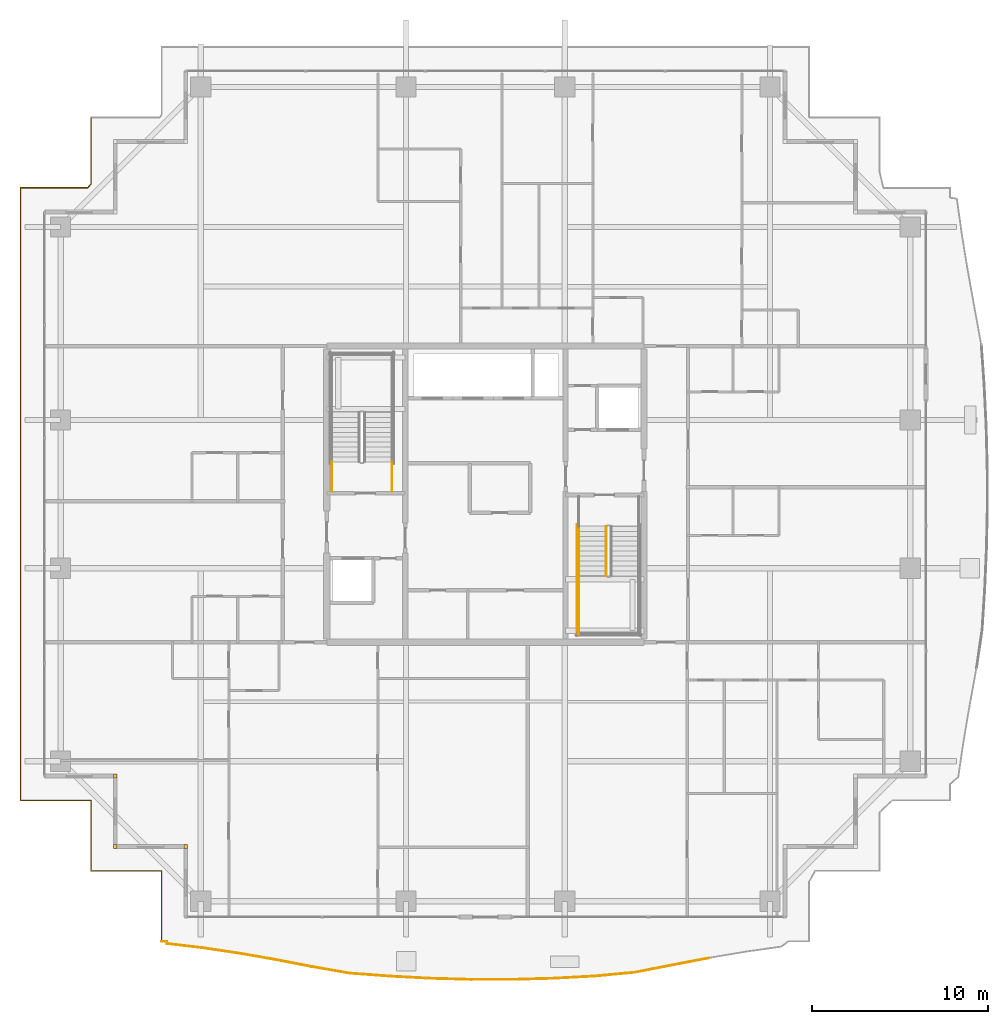
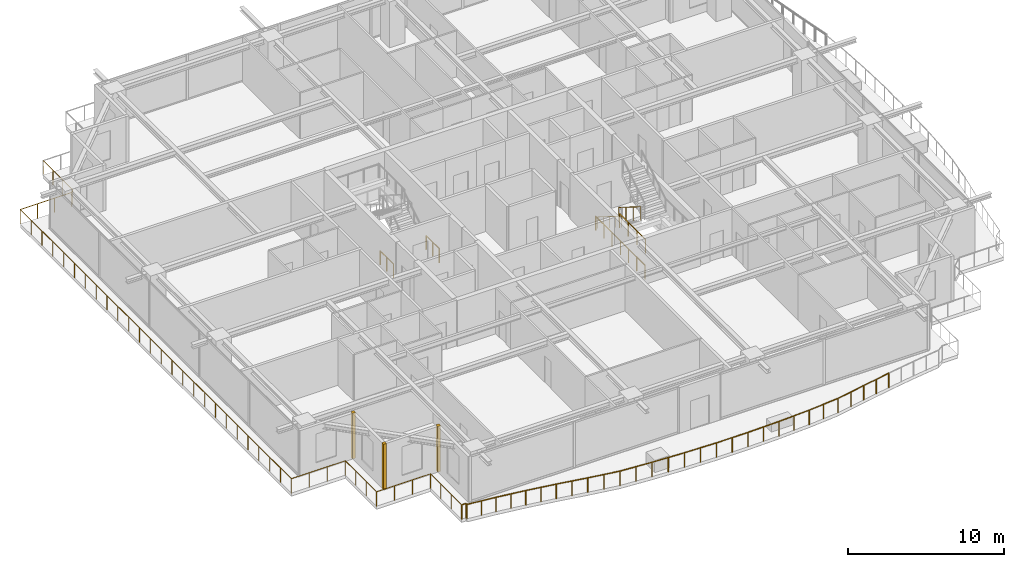
# One storey, part 33 of 37: 9 railings, 3 coverings.
"""IFC4 building model written with IfcOpenShell, lengths in metres."""

from ifc_helpers import new_model, si_unit, direction, frame, origin, origin_2d, place, context, subcontext, project, spatial, rectangle, circle, extrude, source, transform, mapped, material, layer, layer_set, type_object, element, save


model = new_model("IFC4")

# Units and contexts
model_context = context("Model", 3, precision=1e-05, world=origin(), true_north=direction((0.0, 1.0)))
body_context = subcontext(model_context, "Body", "Model", "MODEL_VIEW")
ifc_project = project(units=[si_unit("LENGTHUNIT", "METRE"), si_unit("AREAUNIT", "SQUARE_METRE"), si_unit("VOLUMEUNIT", "CUBIC_METRE"), si_unit("PLANEANGLEUNIT", "RADIAN"), si_unit("MASSUNIT", "GRAM", prefix="KILO")], contexts=[model_context])

# Site, building, storey
site_placement = place(None, origin())
site = spatial("IfcSite", under=ifc_project, at=site_placement, CompositionType="ELEMENT")
building_placement = place(site_placement, origin())
building = spatial("IfcBuilding", under=site, at=building_placement, Name="Serunith Strait Residences", CompositionType="ELEMENT")
storey_placement = place(building_placement, frame((0.0, 0.0, 260.5)))
storey = spatial("IfcBuildingStorey", under=building, at=storey_placement, Name="L65", CompositionType="ELEMENT", Elevation=260.5)

# Railings
ifc_material_1 = material(Name="Stainless Steel & Laminated Glass Balustrade", Category="steel")
railing_type_1 = type_object("IfcRailingType", Name="RLG-BALC-1150", PredefinedType="BALUSTRADE", material=ifc_material_1)
railing_1_placement = place(storey_placement, frame((14.02001953125, -0.179931640625, -0.050048828125)))
element("IfcRailing", 1, at=railing_1_placement, inside=storey, type_object=railing_type_1, Name="L65 Swirling Balcony Perimeter Balustrade 1", PredefinedType="BALUSTRADE", context=body_context, shape_type="SweptSolid", body=[
    extrude(circle(Radius=0.02392578125, at=origin_2d()), frame((0.0, 0.001953125, 1.1259765625), z_axis=(0.0, 1.0, 0.0), x_axis=(-1.0, 0.0, 0.0)), (0.0, 0.0, 1.0), 3.99609375),
    extrude(circle(Radius=0.02392578125, at=origin_2d()), frame((-0.001953125, 4.0, 1.1259765625), z_axis=(-1.0, 0.0, 0.0), x_axis=(0.0, -1.0, 0.0)), (0.0, 0.0, 1.0), 3.99609375),
    extrude(circle(Radius=0.02392578125, at=origin_2d()), frame((-4.0, 4.001953125, 1.1259765625), z_axis=(0.0, 1.0, 0.0), x_axis=(-1.0, 0.0, 0.0)), (0.0, 0.0, 1.0), 3.99609375),
    extrude(circle(Radius=0.02392578125, at=origin_2d()), frame((-4.001953125, 8.0, 1.1259765625), z_axis=(-1.0, 0.0, 0.0), x_axis=(0.0, -1.0, 0.0)), (0.0, 0.0, 1.0), 3.99609375),
    extrude(circle(Radius=0.02392578125, at=origin_2d()), frame((-8.0, 8.001953125, 1.1259765625), z_axis=(0.0, 1.0, 0.0), x_axis=(-1.0, 0.0, 0.0)), (0.0, 0.0, 1.0), 34.756103515625),
    extrude(circle(Radius=0.02392578125, at=origin_2d()), frame((-7.998046875, 42.760009765625, 1.1259765625), z_axis=(1.0, 0.0, 0.0), x_axis=(0.0, 1.0, 0.0)), (0.0, 0.0, 1.0), 3.801025390625),
    extrude(circle(Radius=0.02392578125, at=origin_2d()), frame((-4.19384765625, 42.761474609375, 1.1259765625), z_axis=(0.660199372359, 0.751090399843, 0.0), x_axis=(-0.751090399843, 0.660199372359, 0.0)), (0.0, 0.0, 1.0), 0.29150390625),
    extrude(circle(Radius=0.02392578125, at=origin_2d()), frame((-4.0, 42.98388671875, 1.1259765625), z_axis=(0.0, 1.0, 0.0), x_axis=(-1.0, 0.0, 0.0)), (0.0, 0.0, 1.0), 3.774169921875),
    extrude(circle(Radius=0.02099609375, at=origin_2d()), origin(), (0.0, 0.0, 1.0), 1.099853515625),
    extrude(circle(Radius=0.02099609375, at=origin_2d()), frame((0.0, 1.333251953125, 0.0)), (0.0, 0.0, 1.0), 1.099853515625),
    extrude(circle(Radius=0.02099609375, at=origin_2d()), frame((0.0, 2.666748046875, 0.0)), (0.0, 0.0, 1.0), 1.099853515625),
    extrude(circle(Radius=0.02099609375, at=origin_2d()), frame((0.0, 4.0, 0.0)), (0.0, 0.0, 1.0), 1.099853515625),
    extrude(circle(Radius=0.02099609375, at=origin_2d()), frame((-1.333251953125, 4.0, 0.0)), (0.0, 0.0, 1.0), 1.099853515625),
    extrude(circle(Radius=0.02099609375, at=origin_2d()), frame((-2.666748046875, 4.0, 0.0)), (0.0, 0.0, 1.0), 1.099853515625),
    extrude(circle(Radius=0.02099609375, at=origin_2d()), frame((-4.0, 4.0, 0.0)), (0.0, 0.0, 1.0), 1.099853515625),
    extrude(circle(Radius=0.02099609375, at=origin_2d()), frame((-4.0, 5.333251953125, 0.0)), (0.0, 0.0, 1.0), 1.099853515625),
    extrude(circle(Radius=0.02099609375, at=origin_2d()), frame((-4.0, 6.666748046875, 0.0)), (0.0, 0.0, 1.0), 1.099853515625),
    extrude(circle(Radius=0.02099609375, at=origin_2d()), frame((-4.0, 8.0, 0.0)), (0.0, 0.0, 1.0), 1.099853515625),
    extrude(circle(Radius=0.02099609375, at=origin_2d()), frame((-5.333251953125, 8.0, 0.0)), (0.0, 0.0, 1.0), 1.099853515625),
    extrude(circle(Radius=0.02099609375, at=origin_2d()), frame((-6.666748046875, 8.0, 0.0)), (0.0, 0.0, 1.0), 1.099853515625),
    extrude(circle(Radius=0.02099609375, at=origin_2d()), frame((-8.0, 8.0, 0.0)), (0.0, 0.0, 1.0), 1.099853515625),
    extrude(circle(Radius=0.02099609375, at=origin_2d()), frame((-8.0, 9.390380859375, 0.0)), (0.0, 0.0, 1.0), 1.099853515625),
    extrude(circle(Radius=0.02099609375, at=origin_2d()), frame((-8.0, 10.78076171875, 0.0)), (0.0, 0.0, 1.0), 1.099853515625),
    extrude(circle(Radius=0.02099609375, at=origin_2d()), frame((-8.0, 12.171142578125, 0.0)), (0.0, 0.0, 1.0), 1.099853515625),
    extrude(circle(Radius=0.02099609375, at=origin_2d()), frame((-8.0, 13.5615234375, 0.0)), (0.0, 0.0, 1.0), 1.099853515625),
    extrude(circle(Radius=0.02099609375, at=origin_2d()), frame((-8.0, 14.951904296875, 0.0)), (0.0, 0.0, 1.0), 1.099853515625),
    extrude(circle(Radius=0.02099609375, at=origin_2d()), frame((-8.0, 16.34228515625, 0.0)), (0.0, 0.0, 1.0), 1.099853515625),
    extrude(circle(Radius=0.02099609375, at=origin_2d()), frame((-8.0, 17.73291015625, 0.0)), (0.0, 0.0, 1.0), 1.099853515625),
    extrude(circle(Radius=0.02099609375, at=origin_2d()), frame((-8.0, 19.123291015625, 0.0)), (0.0, 0.0, 1.0), 1.099853515625),
    extrude(circle(Radius=0.02099609375, at=origin_2d()), frame((-8.0, 20.513671875, 0.0)), (0.0, 0.0, 1.0), 1.099853515625),
    extrude(circle(Radius=0.02099609375, at=origin_2d()), frame((-8.0, 21.904052734375, 0.0)), (0.0, 0.0, 1.0), 1.099853515625),
    extrude(circle(Radius=0.02099609375, at=origin_2d()), frame((-8.0, 23.29443359375, 0.0)), (0.0, 0.0, 1.0), 1.099853515625),
    extrude(circle(Radius=0.02099609375, at=origin_2d()), frame((-8.0, 24.684814453125, 0.0)), (0.0, 0.0, 1.0), 1.099853515625),
    extrude(circle(Radius=0.02099609375, at=origin_2d()), frame((-8.0, 26.0751953125, 0.0)), (0.0, 0.0, 1.0), 1.099853515625),
    extrude(circle(Radius=0.02099609375, at=origin_2d()), frame((-8.0, 27.465576171875, 0.0)), (0.0, 0.0, 1.0), 1.099853515625),
    extrude(circle(Radius=0.02099609375, at=origin_2d()), frame((-8.0, 28.85595703125, 0.0)), (0.0, 0.0, 1.0), 1.099853515625),
    extrude(circle(Radius=0.02099609375, at=origin_2d()), frame((-8.0, 30.246337890625, 0.0)), (0.0, 0.0, 1.0), 1.099853515625),
    extrude(circle(Radius=0.02099609375, at=origin_2d()), frame((-8.0, 31.63671875, 0.0)), (0.0, 0.0, 1.0), 1.099853515625),
    extrude(circle(Radius=0.02099609375, at=origin_2d()), frame((-8.0, 33.027099609375, 0.0)), (0.0, 0.0, 1.0), 1.099853515625),
    extrude(circle(Radius=0.02099609375, at=origin_2d()), frame((-8.0, 34.417724609375, 0.0)), (0.0, 0.0, 1.0), 1.099853515625),
    extrude(circle(Radius=0.02099609375, at=origin_2d()), frame((-8.0, 35.80810546875, 0.0)), (0.0, 0.0, 1.0), 1.099853515625),
    extrude(circle(Radius=0.02099609375, at=origin_2d()), frame((-8.0, 37.198486328125, 0.0)), (0.0, 0.0, 1.0), 1.099853515625),
    extrude(circle(Radius=0.02099609375, at=origin_2d()), frame((-8.0, 38.5888671875, 0.0)), (0.0, 0.0, 1.0), 1.099853515625),
    extrude(circle(Radius=0.02099609375, at=origin_2d()), frame((-8.0, 39.979248046875, 0.0)), (0.0, 0.0, 1.0), 1.099853515625),
    extrude(circle(Radius=0.02099609375, at=origin_2d()), frame((-8.0, 41.36962890625, 0.0)), (0.0, 0.0, 1.0), 1.099853515625),
    extrude(circle(Radius=0.02099609375, at=origin_2d()), frame((-8.0, 42.760009765625, 0.0)), (0.0, 0.0, 1.0), 1.099853515625),
    extrude(circle(Radius=0.02099609375, at=origin_2d()), frame((-6.731689453125, 42.760009765625, 0.0)), (0.0, 0.0, 1.0), 1.099853515625),
    extrude(circle(Radius=0.02099609375, at=origin_2d()), frame((-5.46337890625, 42.760009765625, 0.0)), (0.0, 0.0, 1.0), 1.099853515625),
    extrude(circle(Radius=0.02099609375, at=origin_2d()), frame((-4.195068359375, 42.760009765625, 0.0)), (0.0, 0.0, 1.0), 1.099853515625),
    extrude(circle(Radius=0.02099609375, at=origin_2d()), frame((-4.0, 42.98193359375, 0.0)), (0.0, 0.0, 1.0), 1.099853515625),
    extrude(circle(Radius=0.02099609375, at=origin_2d()), frame((-4.0, 44.2412109375, 0.0)), (0.0, 0.0, 1.0), 1.099853515625),
    extrude(circle(Radius=0.02099609375, at=origin_2d()), frame((-4.0, 45.500732421875, 0.0)), (0.0, 0.0, 1.0), 1.099853515625),
    extrude(circle(Radius=0.02099609375, at=origin_2d()), frame((-4.0, 46.760009765625, 0.0)), (0.0, 0.0, 1.0), 1.099853515625),
])
railing_2_placement = place(storey_placement, frame((45.10302734375, -1.119873046875, -0.050048828125)))
element("IfcRailing", 2, at=railing_2_placement, inside=storey, type_object=railing_type_1, Name="L65 Swirling Balcony Perimeter Balustrade 7", PredefinedType="BALUSTRADE", context=body_context, shape_type="SweptSolid", body=[
    extrude(circle(Radius=0.02392578125, at=origin_2d()), frame((-0.001953125, -0.00048828125, 1.1259765625), z_axis=(-0.982313343637, -0.187244478992, 0.0), x_axis=(0.187244478992, -0.982313343637, 0.0)), (0.0, 0.0, 1.0), 2.11474609375),
    extrude(circle(Radius=0.02392578125, at=origin_2d()), frame((-2.083251953125, -0.397216796875, 1.1259765625), z_axis=(-0.981246175574, -0.192758768728, 0.0), x_axis=(0.192758768728, -0.981246175574, 0.0)), (0.0, 0.0, 1.0), 2.17822265625),
    extrude(circle(Radius=0.02392578125, at=origin_2d()), frame((-4.224609375, -0.817626953125, 1.1259765625), z_axis=(-0.995654501712, -0.093124181713, 0.0), x_axis=(0.093124181713, -0.995654501712, 0.0)), (0.0, 0.0, 1.0), 2.266357421875),
    extrude(circle(Radius=0.02392578125, at=origin_2d()), frame((-6.485107421875, -1.02880859375, 1.1259765625), z_axis=(-0.998514454717, -0.0544874639, 0.0), x_axis=(0.0544874639, -0.998514454717, 0.0)), (0.0, 0.0, 1.0), 2.30810546875),
    extrude(circle(Radius=0.02392578125, at=origin_2d()), frame((-8.793701171875, -1.15478515625, 1.1259765625), z_axis=(-0.9995893522, -0.028655313089, 0.0), x_axis=(0.028655313089, -0.9995893522, 0.0)), (0.0, 0.0, 1.0), 2.33056640625),
    extrude(circle(Radius=0.02392578125, at=origin_2d()), frame((-11.127197265625, -1.2216796875, 1.1259765625), z_axis=(-0.999999913122, -0.000416840314, 0.0), x_axis=(0.000416840314, -0.999999913122, 0.0)), (0.0, 0.0, 1.0), 2.3388671875),
    extrude(circle(Radius=0.02392578125, at=origin_2d()), frame((-13.469970703125, -1.22265625, 1.1259765625), z_axis=(-0.999619479229, 0.027584356906, 0.0), x_axis=(-0.027584356906, -0.999619479229, 0.0)), (0.0, 0.0, 1.0), 2.33251953125),
    extrude(circle(Radius=0.02392578125, at=origin_2d()), frame((-15.8056640625, -1.158203125, 1.1259765625), z_axis=(-0.998588268124, 0.053117518431, 0.0), x_axis=(-0.053117518431, -0.998588268124, 0.0)), (0.0, 0.0, 1.0), 2.3125),
    extrude(circle(Radius=0.02099609375, at=origin_2d()), origin(), (0.0, 0.0, 1.0), 1.099853515625),
    extrude(circle(Radius=0.02099609375, at=origin_2d()), frame((-1.04052734375, -0.1982421875, 0.0)), (0.0, 0.0, 1.0), 1.099853515625),
    extrude(circle(Radius=0.02099609375, at=origin_2d()), frame((-2.081298828125, -0.396728515625, 0.0)), (0.0, 0.0, 1.0), 1.099853515625),
    extrude(circle(Radius=0.02099609375, at=origin_2d()), frame((-3.15185546875, -0.60693359375, 0.0)), (0.0, 0.0, 1.0), 1.099853515625),
    extrude(circle(Radius=0.02099609375, at=origin_2d()), frame((-4.22265625, -0.8173828125, 0.0)), (0.0, 0.0, 1.0), 1.099853515625),
    extrude(circle(Radius=0.02099609375, at=origin_2d()), frame((-5.35302734375, -0.923095703125, 0.0)), (0.0, 0.0, 1.0), 1.099853515625),
    extrude(circle(Radius=0.02099609375, at=origin_2d()), frame((-6.483154296875, -1.02880859375, 0.0)), (0.0, 0.0, 1.0), 1.099853515625),
    extrude(circle(Radius=0.02099609375, at=origin_2d()), frame((-7.637451171875, -1.091796875, 0.0)), (0.0, 0.0, 1.0), 1.099853515625),
    extrude(circle(Radius=0.02099609375, at=origin_2d()), frame((-8.791748046875, -1.15478515625, 0.0)), (0.0, 0.0, 1.0), 1.099853515625),
    extrude(circle(Radius=0.02099609375, at=origin_2d()), frame((-9.95849609375, -1.188232421875, 0.0)), (0.0, 0.0, 1.0), 1.099853515625),
    extrude(circle(Radius=0.02099609375, at=origin_2d()), frame((-11.125244140625, -1.2216796875, 0.0)), (0.0, 0.0, 1.0), 1.099853515625),
    extrude(circle(Radius=0.02099609375, at=origin_2d()), frame((-12.296630859375, -1.22216796875, 0.0)), (0.0, 0.0, 1.0), 1.099853515625),
    extrude(circle(Radius=0.02099609375, at=origin_2d()), frame((-13.468017578125, -1.22265625, 0.0)), (0.0, 0.0, 1.0), 1.099853515625),
    extrude(circle(Radius=0.02099609375, at=origin_2d()), frame((-14.6357421875, -1.1904296875, 0.0)), (0.0, 0.0, 1.0), 1.099853515625),
    extrude(circle(Radius=0.02099609375, at=origin_2d()), frame((-15.8037109375, -1.158203125, 0.0)), (0.0, 0.0, 1.0), 1.099853515625),
    extrude(circle(Radius=0.02099609375, at=origin_2d()), frame((-16.96044921875, -1.0966796875, 0.0)), (0.0, 0.0, 1.0), 1.099853515625),
    extrude(circle(Radius=0.02099609375, at=origin_2d()), frame((-18.116943359375, -1.03515625, 0.0)), (0.0, 0.0, 1.0), 1.099853515625),
])
railing_3_placement = place(storey_placement, frame((26.986083984375, -2.155029296875, -0.050048828125)))
element("IfcRailing", 3, at=railing_3_placement, inside=storey, type_object=railing_type_1, Name="L65 Swirling Balcony Perimeter Balustrade 8", PredefinedType="BALUSTRADE", context=body_context, shape_type="SweptSolid", body=[
    extrude(circle(Radius=0.02392578125, at=origin_2d()), frame((-0.001953125, 0.000244140625, 1.1259765625), z_axis=(-0.997272706505, 0.07380480242, 0.0), x_axis=(-0.07380480242, -0.997272706505, 0.0)), (0.0, 0.0, 1.0), 2.28173828125),
    extrude(circle(Radius=0.02392578125, at=origin_2d()), frame((-2.281494140625, 0.1689453125, 1.1259765625), z_axis=(-0.985118194637, 0.171878278426, 0.0), x_axis=(-0.171878278426, -0.985118194637, 0.0)), (0.0, 0.0, 1.0), 2.201904296875),
    extrude(circle(Radius=0.02392578125, at=origin_2d()), frame((-4.45458984375, 0.54833984375, 1.1259765625), z_axis=(-0.981945251092, 0.189165334717, 0.0), x_axis=(-0.189165334717, -0.981945251092, 0.0)), (0.0, 0.0, 1.0), 2.132080078125),
    extrude(circle(Radius=0.02392578125, at=origin_2d()), frame((-6.552001953125, 0.9521484375, 1.1259765625), z_axis=(-0.985104960579, 0.171954112025, 0.0), x_axis=(-0.171954112025, -0.985104960579, 0.0)), (0.0, 0.0, 1.0), 2.080322265625),
    extrude(circle(Radius=0.02392578125, at=origin_2d()), frame((-8.605224609375, 1.310546875, 1.1259765625), z_axis=(-0.989274294795, 0.146069742444, 0.0), x_axis=(-0.146069742444, -0.989274294795, 0.0)), (0.0, 0.0, 1.0), 2.046875),
    extrude(circle(Radius=0.02392578125, at=origin_2d()), frame((-10.634033203125, 1.610107421875, 1.1259765625), z_axis=(-0.992970817659, 0.118359432569, 0.0), x_axis=(-0.118359432569, -0.992970817659, 0.0)), (0.0, 0.0, 1.0), 2.02978515625),
    extrude(circle(Radius=0.02392578125, at=origin_2d()), frame((-12.651611328125, 1.8525390625, 1.1259765625), z_axis=(0.007842896032, 0.999969244018, 0.0), x_axis=(-0.999969244018, 0.007842896032, 0.0)), (0.0, 0.0, 1.0), 0.12060546875),
    extrude(circle(Radius=0.02392578125, at=origin_2d()), frame((-12.652587890625, 1.97509765625, 1.1259765625), z_axis=(-1.0, 0.0, 0.0), x_axis=(0.0, -1.0, 0.0)), (0.0, 0.0, 1.0), 0.3115234375),
    extrude(circle(Radius=0.02099609375, at=origin_2d()), origin(), (0.0, 0.0, 1.0), 1.099853515625),
    extrude(circle(Radius=0.02099609375, at=origin_2d()), frame((-1.1396484375, 0.08447265625, 0.0)), (0.0, 0.0, 1.0), 1.099853515625),
    extrude(circle(Radius=0.02099609375, at=origin_2d()), frame((-2.279541015625, 0.168701171875, 0.0)), (0.0, 0.0, 1.0), 1.099853515625),
    extrude(circle(Radius=0.02099609375, at=origin_2d()), frame((-3.3662109375, 0.3583984375, 0.0)), (0.0, 0.0, 1.0), 1.099853515625),
    extrude(circle(Radius=0.02099609375, at=origin_2d()), frame((-4.45263671875, 0.5478515625, 0.0)), (0.0, 0.0, 1.0), 1.099853515625),
    extrude(circle(Radius=0.02099609375, at=origin_2d()), frame((-5.50146484375, 0.75, 0.0)), (0.0, 0.0, 1.0), 1.099853515625),
    extrude(circle(Radius=0.02099609375, at=origin_2d()), frame((-6.550048828125, 0.951904296875, 0.0)), (0.0, 0.0, 1.0), 1.099853515625),
    extrude(circle(Radius=0.02099609375, at=origin_2d()), frame((-7.57666015625, 1.131103515625, 0.0)), (0.0, 0.0, 1.0), 1.099853515625),
    extrude(circle(Radius=0.02099609375, at=origin_2d()), frame((-8.603271484375, 1.310302734375, 0.0)), (0.0, 0.0, 1.0), 1.099853515625),
    extrude(circle(Radius=0.02099609375, at=origin_2d()), frame((-9.61767578125, 1.4599609375, 0.0)), (0.0, 0.0, 1.0), 1.099853515625),
    extrude(circle(Radius=0.02099609375, at=origin_2d()), frame((-10.632080078125, 1.60986328125, 0.0)), (0.0, 0.0, 1.0), 1.099853515625),
    extrude(circle(Radius=0.02099609375, at=origin_2d()), frame((-11.641845703125, 1.730224609375, 0.0)), (0.0, 0.0, 1.0), 1.099853515625),
    extrude(circle(Radius=0.02099609375, at=origin_2d()), frame((-12.651611328125, 1.8505859375, 0.0)), (0.0, 0.0, 1.0), 1.099853515625),
    extrude(circle(Radius=0.02099609375, at=origin_2d()), frame((-12.650634765625, 1.97509765625, 0.0)), (0.0, 0.0, 1.0), 1.099853515625),
    extrude(circle(Radius=0.02099609375, at=origin_2d()), frame((-12.966064453125, 1.97509765625, 0.0)), (0.0, 0.0, 1.0), 1.099853515625),
])
ifc_material_2 = material(Name="Brushed stainless steel 316L", Category="steel")
railing_type_2 = type_object("IfcRailingType", Name="RLG-STAIR-GUARD", PredefinedType="BALUSTRADE", material=ifc_material_2)
for number, where, name in (
    (4, (27.10009765625, 25.35009765625, 0.0), "L65 ST-1 stair guard 8"),
    (5, (23.699951171875, 25.35009765625, 0.0), "L65 ST-1 stair guard 9"),
):
    element("IfcRailing", number, at=place(storey_placement, frame(where)), inside=storey, type_object=railing_type_2, Name=name, PredefinedType="BALUSTRADE", context=body_context, shape_type="SweptSolid", body=[
        extrude(circle(Radius=0.02392578125, at=origin_2d()), frame((0.0, 0.001953125, 1.076171875), z_axis=(0.0, 1.0, 0.0), x_axis=(-1.0, 0.0, 0.0)), (0.0, 0.0, 1.0), 1.676025390625),
        extrude(circle(Radius=0.02099609375, at=origin_2d()), origin(), (0.0, 0.0, 1.0), 1.050048828125),
        extrude(circle(Radius=0.02099609375, at=origin_2d()), frame((0.0, 0.83984375, 0.0)), (0.0, 0.0, 1.0), 1.050048828125),
        extrude(circle(Radius=0.02099609375, at=origin_2d()), frame((0.0, 1.679931640625, 0.0)), (0.0, 0.0, 1.0), 1.050048828125),
    ])
railing_4_placement = place(storey_placement, frame((39.25, 23.3701171875, 0.175048828125)))
element("IfcRailing", 6, at=railing_4_placement, inside=storey, type_object=railing_type_2, Name="L65 ST-2 stair guard 1", PredefinedType="BALUSTRADE", context=body_context, shape_type="SweptSolid", body=[
    extrude(circle(Radius=0.02392578125, at=origin_2d()), frame((0.0, -0.001708984375, 1.0771484375), z_axis=(0.0, -0.848002457836, 0.529992293815), x_axis=(1.0, 0.0, 0.0)), (0.0, 0.0, 1.0), 3.2978515625),
    extrude(circle(Radius=0.02099609375, at=origin_2d()), origin(), (0.0, 0.0, 1.0), 1.050048828125),
    extrude(circle(Radius=0.02099609375, at=origin_2d()), frame((0.0, -0.933349609375, 0.583251953125)), (0.0, 0.0, 1.0), 1.050048828125),
    extrude(circle(Radius=0.02099609375, at=origin_2d()), frame((0.0, -1.86669921875, 1.166748046875)), (0.0, 0.0, 1.0), 1.050048828125),
    extrude(circle(Radius=0.02099609375, at=origin_2d()), frame((0.0, -2.800048828125, 1.75)), (0.0, 0.0, 1.0), 1.050048828125),
])
railing_5_placement = place(storey_placement, frame((37.699951171875, 20.570068359375, 1.925048828125)))
element("IfcRailing", 7, at=railing_5_placement, inside=storey, type_object=railing_type_2, Name="L65 ST-2 stair guard 3", PredefinedType="BALUSTRADE", context=body_context, shape_type="SweptSolid", body=[
    extrude(circle(Radius=0.02392578125, at=origin_2d()), frame((0.0, -0.001953125, 1.076171875), z_axis=(0.0, -1.0, 0.0), x_axis=(1.0, 0.0, 0.0)), (0.0, 0.0, 1.0), 3.316162109375),
    extrude(circle(Radius=0.02099609375, at=origin_2d()), origin(), (0.0, 0.0, 1.0), 1.050048828125),
    extrude(circle(Radius=0.02099609375, at=origin_2d()), frame((0.0, -1.106689453125, 0.0)), (0.0, 0.0, 1.0), 1.050048828125),
    extrude(circle(Radius=0.02099609375, at=origin_2d()), frame((0.0, -2.21337890625, 0.0)), (0.0, 0.0, 1.0), 1.050048828125),
    extrude(circle(Radius=0.02099609375, at=origin_2d()), frame((0.0, -3.320068359375, 0.0)), (0.0, 0.0, 1.0), 1.050048828125),
])
railing_6_placement = place(storey_placement, frame((37.60009765625, 23.469970703125, 0.0)))
element("IfcRailing", 8, at=railing_6_placement, inside=storey, type_object=railing_type_2, Name="L65 ST-2 stair guard 10", PredefinedType="BALUSTRADE", context=body_context, shape_type="SweptSolid", body=[
    extrude(circle(Radius=0.02392578125, at=origin_2d()), frame((0.0, -0.001953125, 1.076171875), z_axis=(0.0, -1.0, 0.0), x_axis=(1.0, 0.0, 0.0)), (0.0, 0.0, 1.0), 6.316162109375),
    extrude(circle(Radius=0.02099609375, at=origin_2d()), origin(), (0.0, 0.0, 1.0), 1.050048828125),
    extrude(circle(Radius=0.02099609375, at=origin_2d()), frame((0.0, -1.05322265625, 0.0)), (0.0, 0.0, 1.0), 1.050048828125),
    extrude(circle(Radius=0.02099609375, at=origin_2d()), frame((0.0, -2.106689453125, 0.0)), (0.0, 0.0, 1.0), 1.050048828125),
    extrude(circle(Radius=0.02099609375, at=origin_2d()), frame((0.0, -3.16015625, 0.0)), (0.0, 0.0, 1.0), 1.050048828125),
    extrude(circle(Radius=0.02099609375, at=origin_2d()), frame((0.0, -4.21337890625, 0.0)), (0.0, 0.0, 1.0), 1.050048828125),
    extrude(circle(Radius=0.02099609375, at=origin_2d()), frame((0.0, -5.2666015625, 0.0)), (0.0, 0.0, 1.0), 1.050048828125),
    extrude(circle(Radius=0.02099609375, at=origin_2d()), frame((0.0, -6.320068359375, 0.0)), (0.0, 0.0, 1.0), 1.050048828125),
])
railing_type_3 = type_object("IfcRailingType", Name="RLG-STAIR-HR", PredefinedType="HANDRAIL", material=ifc_material_2)
railing_7_placement = place(storey_placement, frame((37.699951171875, 23.3701171875, 0.175048828125)))
element("IfcRailing", 9, at=railing_7_placement, inside=storey, type_object=railing_type_3, Name="L65 ST-2 stair handrail 1", PredefinedType="HANDRAIL", context=body_context, shape_type="SweptSolid", body=[
    extrude(circle(Radius=0.02392578125, at=origin_2d()), frame((0.0, -0.001708984375, 0.876953125), z_axis=(0.0, -0.847393994688, 0.530964610654), x_axis=(1.0, 0.0, 0.0)), (0.0, 0.0, 1.0), 3.630859375),
    extrude(circle(Radius=0.02099609375, at=origin_2d()), origin(), (0.0, 0.0, 1.0), 0.849853515625),
    extrude(circle(Radius=0.02099609375, at=origin_2d()), frame((0.0, -0.77001953125, 0.482421875)), (0.0, 0.0, 1.0), 0.849853515625),
    extrude(circle(Radius=0.02099609375, at=origin_2d()), frame((0.0, -1.5400390625, 0.96484375)), (0.0, 0.0, 1.0), 0.849853515625),
    extrude(circle(Radius=0.02099609375, at=origin_2d()), frame((0.0, -2.31005859375, 1.447509765625)), (0.0, 0.0, 1.0), 0.849853515625),
    extrude(circle(Radius=0.02099609375, at=origin_2d()), frame((0.0, -3.080078125, 1.929931640625)), (0.0, 0.0, 1.0), 0.849853515625),
])

# Coverings
ifc_material_3 = material(Name="Pale-Champagne Anodised Aluminium", Category="aluminium")
ifc_layer = layer(ifc_material_3, 0.219970703125, Name="Pale-Champagne Anodised Aluminium")
ifc_layer_set = layer_set([ifc_layer], Name="Pale-Champagne Anodised Aluminium")
covering_type = type_object("IfcCoveringType", Name="COV-CORN-TRIM", PredefinedType="CLADDING", material=ifc_layer_set)
shared_shape = source(origin(), body_context, "Body", "SweptSolid", [
    extrude(rectangle(XDim=0.221923828125, YDim=0.221923828125, at=origin_2d()), origin(), (0.0, 0.0, 1.0), 3.574951171875),
])
for number, where, z_axis, x_axis, name in (
    (10, (11.39990234375, 9.199951171875, 0.0), (0.0, 0.0, 1.0), (1.0, 0.0, 0.0), "L65 Girih Serrated Corner Trim Post 17"),
    (11, (11.39990234375, 5.199951171875, 0.0), (0.0, 0.0, 1.0), (1.0, 0.0, 0.0), "L65 Girih Serrated Corner Trim Post 18"),
    (12, (15.39990234375, 5.199951171875, 0.0), (0.0, 0.0, 1.0), (1.0, 0.0, 0.0), "L65 Girih Serrated Corner Trim Post 19"),
):
    element("IfcCovering", number, at=place(storey_placement, frame(where, z_axis=z_axis, x_axis=x_axis)), inside=storey, type_object=covering_type, Name=name, PredefinedType="CLADDING", context=body_context, shape_type="MappedRepresentation", body=[
        mapped(shared_shape, transform((0.0, 0.0, 0.0), scale=1.0)),
    ])

save(model, "model.ifc")
